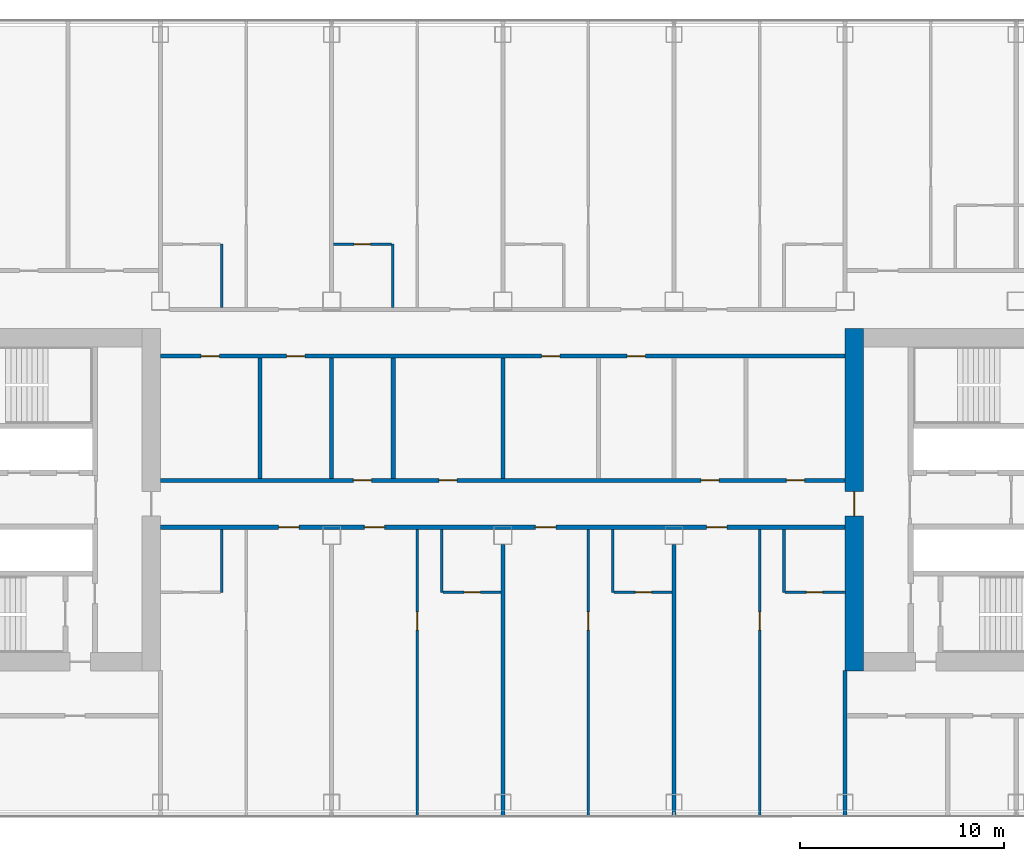
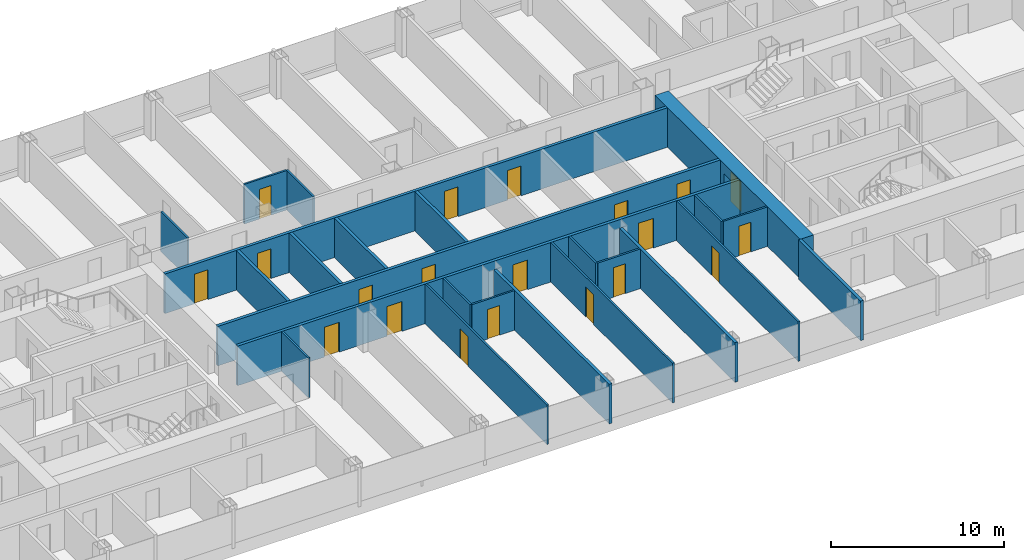
# One storey, part 17 of 29: 24 walls, 20 doors, 20 openings.
"""IFC4 building model written with IfcOpenShell, lengths in metres."""

import ifcopenshell
import ifcopenshell.guid

model = None  # the IFC model being written
_history = None  # IfcOwnerHistory: only IFC2X3 demands one
_inside = {}  # id of a spatial element -> (the spatial element, [elements in it])
_under = {}  # id of a project, library or spatial element -> (it, [spatial elements below it])
_declared = {}  # id of a project -> (the project, [libraries it declares])
_typed = {}  # id of a type object -> (the type object, [elements of that type])
_made_of = {}  # id of a material, layer set ... -> (it, [elements and type objects made of it])


def new_model(schema):
    """Start an empty IFC model of exactly this schema.

    Asked for "IFC4X3", IfcOpenShell would pick the latest addendum, in which some entities
    have other attributes; the version numbers below select the first issue.
    IFC2X3 requires an IfcOwnerHistory on every rooted entity: one is made here for all.
    """
    global model, _history
    if schema == "IFC4X3":
        model = ifcopenshell.file(schema_version=(4, 3, 0, 0))
    else:
        model = ifcopenshell.file(schema=schema)
    _inside.clear()
    _under.clear()
    _declared.clear()
    _typed.clear()
    _made_of.clear()
    _history = None
    if model.schema == "IFC2X3":
        org = make("IfcOrganization", Name="unknown")
        user = make(
            "IfcPersonAndOrganization",
            ThePerson=make("IfcPerson", FamilyName="unknown"),
            TheOrganization=org,
        )
        app = make(
            "IfcApplication",
            ApplicationDeveloper=org,
            Version="unknown",
            ApplicationFullName="unknown",
            ApplicationIdentifier="unknown",
        )
        _history = make(
            "IfcOwnerHistory",
            OwningUser=user,
            OwningApplication=app,
            ChangeAction="ADDED",
            CreationDate=0,
        )
    return model


def make(cls, **values):
    """One entity of the class cls with the attributes given. An attribute that is None is left unset."""
    return model.create_entity(
        cls, **{name: value for name, value in values.items() if value is not None}
    )


def rooted(cls, **values):
    """An entity with a GlobalId (a new one), such as an element, a storey or a relation."""
    return make(cls, GlobalId=ifcopenshell.guid.new(), OwnerHistory=_history, **values)


def si_unit(unit_type, name, prefix=None):
    """IfcSIUnit, for example si_unit("LENGTHUNIT", "METRE", prefix="MILLI")."""
    return make("IfcSIUnit", UnitType=unit_type, Prefix=prefix, Name=name)


def assignment(units):
    """IfcUnitAssignment: the units of a project."""
    return None if units is None else make("IfcUnitAssignment", Units=units)


def point(xyz):
    """IfcCartesianPoint."""
    return None if xyz is None else make("IfcCartesianPoint", Coordinates=xyz)


def direction(xyz):
    """IfcDirection."""
    return None if xyz is None else make("IfcDirection", DirectionRatios=xyz)


def frame(location, z_axis=None, x_axis=None):
    """IfcAxis2Placement3D, a coordinate frame: its origin and axes. An axis left out is left unset."""
    return make(
        "IfcAxis2Placement3D",
        Location=point(location),
        Axis=direction(z_axis),
        RefDirection=direction(x_axis),
    )


def frame_2d(location, x_axis=None):
    """IfcAxis2Placement2D, a coordinate frame in the plane: its origin and x axis."""
    return make(
        "IfcAxis2Placement2D", Location=point(location), RefDirection=direction(x_axis)
    )


def origin():
    """The frame at (0, 0, 0) with its axes left unset."""
    return frame((0.0, 0.0, 0.0))


def place(relative_to, where):
    """IfcLocalPlacement: puts the frame where relative to a parent placement (None: the world)."""
    return make(
        "IfcLocalPlacement", PlacementRelTo=relative_to, RelativePlacement=where
    )


def context(
    kind, dimensions, precision=None, world=None, true_north=None, identifier=None
):
    """IfcGeometricRepresentationContext, for example the 3D "Model" context."""
    return make(
        "IfcGeometricRepresentationContext",
        ContextIdentifier=identifier,
        ContextType=kind,
        CoordinateSpaceDimension=dimensions,
        Precision=precision,
        WorldCoordinateSystem=world,
        TrueNorth=true_north,
    )


def subcontext(parent, identifier, kind, view, scale=None):
    """IfcGeometricRepresentationSubContext, for example "Body" below "Model"."""
    return make(
        "IfcGeometricRepresentationSubContext",
        ContextIdentifier=identifier,
        ContextType=kind,
        ParentContext=parent,
        TargetScale=scale,
        TargetView=view,
    )


def project(units=None, contexts=None):
    """IfcProject with its units and contexts."""
    return rooted(
        "IfcProject",
        Name="project",
        RepresentationContexts=contexts,
        UnitsInContext=assignment(units),
    )


def spatial(cls, under=None, at=None, **own):
    """A site, building, storey or space (cls), placed at a placement, below another one or the project."""
    s = rooted(cls, ObjectPlacement=at, **own)
    if under is not None:
        _under.setdefault(under.id(), (under, []))[1].append(s)
    return s


def profile(cls, at=None, kind="AREA", **sizes):
    """A parametric profile (cls). Its sizes go by their IFC names, for example OverallWidth=200.0."""
    return make(cls, ProfileType=kind, Position=at, **sizes)


def rectangle(**sizes):
    """IfcRectangleProfileDef."""
    return profile("IfcRectangleProfileDef", **sizes)


def extrude(swept, where, along, depth):
    """IfcExtrudedAreaSolid: the profile swept, set in the frame where, extruded along a direction by depth."""
    return make(
        "IfcExtrudedAreaSolid",
        SweptArea=swept,
        Position=where,
        ExtrudedDirection=direction(along),
        Depth=depth,
    )


def shape(context_of_items, identifier, shape_type, items):
    """IfcShapeRepresentation: the items that make up one representation, for example the "Body"."""
    return make(
        "IfcShapeRepresentation",
        ContextOfItems=context_of_items,
        RepresentationIdentifier=identifier,
        RepresentationType=shape_type,
        Items=items,
    )


def material(Name=None, Category=None):
    """IfcMaterial."""
    return make("IfcMaterial", Name=Name, Category=Category)


def layer(
    of_material, thickness, ventilated=None, Name=None, Category=None, Priority=None
):
    """IfcMaterialLayer: one layer of a wall or slab, of a material (None: an air gap)."""
    return make(
        "IfcMaterialLayer",
        Material=of_material,
        LayerThickness=thickness,
        IsVentilated=ventilated,
        Name=Name,
        Category=Category,
        Priority=Priority,
    )


def layer_set(layers, Name=None):
    """IfcMaterialLayerSet."""
    return make("IfcMaterialLayerSet", MaterialLayers=layers, LayerSetName=Name)


def made_of(thing, what):
    """Note that an element or type object is made of a material, layer set ...; save() writes the relation."""
    if what is not None:
        _made_of.setdefault(what.id(), (what, []))[1].append(thing)
    return thing


def type_object(cls, material=None, **own):
    """A type object (cls), such as IfcWallType, which elements share."""
    return made_of(rooted(cls, **own), material)


def element(
    cls,
    number,
    at=None,
    inside=None,
    cuts=None,
    type_object=None,
    material=None,
    context=None,
    identifier="Body",
    shape_type=None,
    held_by="IfcProductDefinitionShape",
    body=None,
    shapes=None,
    **own,
):
    """One element of the class cls, such as IfcWall. Its Tag is "e" and its number.

    at: its placement. inside: the storey or other place that contains it. cuts: it is an
    opening in that element (IfcRelVoidsElement). A single representation is given by context,
    identifier, shape_type and body (its items); several are given by shapes. held_by: the class
    of the entity that holds the representations. save() writes the other relations.
    """
    e = rooted(cls, Tag="e%d" % number, ObjectPlacement=at, **own)
    if body is not None:
        shapes = [shape(context, identifier, shape_type, body)]
    if shapes is not None:
        e.Representation = make(held_by, Representations=shapes)
    if inside is not None:
        _inside.setdefault(inside.id(), (inside, []))[1].append(e)
    if cuts is not None:
        rooted(
            "IfcRelVoidsElement", RelatingBuildingElement=cuts, RelatedOpeningElement=e
        )
    if type_object is not None:
        _typed.setdefault(type_object.id(), (type_object, []))[1].append(e)
    return made_of(e, material)


def fill(opening, filler):
    """IfcRelFillsElement: the door or window that sits in an opening."""
    return rooted(
        "IfcRelFillsElement",
        RelatingOpeningElement=opening,
        RelatedBuildingElement=filler,
    )


def aggregate(whole, parts):
    """IfcRelAggregates: a whole, such as a stair, and the parts it consists of."""
    return rooted("IfcRelAggregates", RelatingObject=whole, RelatedObjects=parts)


def save(model, path):
    """Write the relations noted so far, then the file.

    IfcRelAggregates (storeys below a building ...), IfcRelContainedInSpatialStructure (elements
    in a storey), IfcRelDefinesByType, IfcRelAssociatesMaterial and IfcRelDeclares: one each for
    every whole, place, type object, material and project.
    """
    for whole, parts in _under.values():
        aggregate(whole, parts)
    for where, things in _inside.values():
        rooted(
            "IfcRelContainedInSpatialStructure",
            RelatedElements=things,
            RelatingStructure=where,
        )
    for kind, things in _typed.values():
        rooted("IfcRelDefinesByType", RelatedObjects=things, RelatingType=kind)
    for what, things in _made_of.values():
        rooted("IfcRelAssociatesMaterial", RelatedObjects=things, RelatingMaterial=what)
    for by, libraries in _declared.values():
        rooted("IfcRelDeclares", RelatingContext=by, RelatedDefinitions=libraries)
    model.write(path)


model = new_model("IFC4")

# Units and contexts
model_context = context("Model", 3, precision=1e-05, world=origin(), true_north=direction((0.0, 1.0)))
body_context = subcontext(model_context, "Body", "Model", "MODEL_VIEW")
ifc_project = project(units=[si_unit("LENGTHUNIT", "METRE"), si_unit("AREAUNIT", "SQUARE_METRE"), si_unit("VOLUMEUNIT", "CUBIC_METRE"), si_unit("PLANEANGLEUNIT", "RADIAN"), si_unit("MASSUNIT", "GRAM", prefix="KILO")], contexts=[model_context])

# Site, building, storey
site_placement = place(None, origin())
site = spatial("IfcSite", under=ifc_project, at=site_placement, CompositionType="ELEMENT")
building_placement = place(site_placement, origin())
building = spatial("IfcBuilding", under=site, at=building_placement, Name="Hakoniwa Tower and Hamabe Station Hall", CompositionType="ELEMENT")
storey_placement = place(building_placement, frame((0.0, 0.0, 104.199951171875)))
storey = spatial("IfcBuildingStorey", under=building, at=storey_placement, Name="L29", CompositionType="ELEMENT", Elevation=104.199951171875)

# Wall, opening, door
ifc_material_1 = material(Name="Gypsum board partition", Category="gypsum")
ifc_layer_1 = layer(ifc_material_1, 0.125)
ifc_layer_set_1 = layer_set([ifc_layer_1], Name="Bathroom Partition 125")
wall_type_1 = type_object("IfcWallType", Name="Bathroom Partition 125", PredefinedType="PARTITIONING", material=ifc_layer_set_1)
wall_1_placement = place(storey_placement, frame((-2.9375, -4.550048828125, 0.0), z_axis=(0.0, 0.0, 1.0), x_axis=(1.0, 0.0, 0.0)))
wall_1 = element("IfcWall", 1, at=wall_1_placement, inside=storey, type_object=wall_type_1, Name="GW-L29-008", PredefinedType="PARTITIONING", context=body_context, shape_type="SweptSolid", body=[
    extrude(rectangle(XDim=2.83740234375, YDim=0.125, at=frame_2d((1.418701171875, 0.0))), origin(), (0.0, 0.0, 1.0), 2.800048828125),
])
opening_1_placement = place(wall_1_placement, frame((1.03759765625, 0.0, 0.0)))
opening_1 = element("IfcOpeningElement", 2, at=opening_1_placement, cuts=wall_1, Name="Opening GD-G2E1-17", PredefinedType="OPENING", context=body_context, shape_type="SweptSolid", body=[
    extrude(rectangle(XDim=0.800048828125, YDim=2.10009765625, at=frame_2d((0.39990234375, 1.050048828125))), frame((0.0, 0.072509765625, 0.0), z_axis=(0.0, -1.0, 0.0), x_axis=(1.0, 0.0, 0.0)), (0.0, 0.0, 1.0), 0.14501953125),
])
ifc_material_2 = material(Name="Timber door leaf", Category="wood")
door_type_1 = type_object("IfcDoorType", Name="Bathroom Door 800", OperationType="SINGLE_SWING_LEFT", PredefinedType="DOOR", material=ifc_material_2)
door_1_placement = place(opening_1_placement, origin())
door_1 = element("IfcDoor", 3, at=door_1_placement, inside=storey, type_object=door_type_1, Name="Door GD-G2E1-17", OperationType="SINGLE_SWING_LEFT", OverallHeight=2.10009765625, OverallWidth=0.800048828125, PredefinedType="DOOR", context=body_context, shape_type="SweptSolid", body=[
    extrude(rectangle(XDim=0.800048828125, YDim=2.10009765625, at=frame_2d((0.39990234375, 1.050048828125))), frame((0.0, 0.02490234375, 0.0), z_axis=(0.0, -1.0, 0.0), x_axis=(1.0, 0.0, 0.0)), (0.0, 0.0, 1.0), 0.050048828125),
])
fill(opening_1, door_1)

wall_2_placement = place(storey_placement, frame((5.46240234375, -4.550048828125, 0.0), z_axis=(0.0, 0.0, 1.0), x_axis=(1.0, 0.0, 0.0)))
wall_2 = element("IfcWall", 4, at=wall_2_placement, inside=storey, type_object=wall_type_1, Name="GW-L29-009", PredefinedType="PARTITIONING", context=body_context, shape_type="SweptSolid", body=[
    extrude(rectangle(XDim=2.837646484375, YDim=0.125, at=frame_2d((1.4189453125, 0.0))), origin(), (0.0, 0.0, 1.0), 2.800048828125),
])
opening_2_placement = place(wall_2_placement, frame((1.03759765625, 0.0, 0.0)))
opening_2 = element("IfcOpeningElement", 5, at=opening_2_placement, cuts=wall_2, Name="Opening GD-G2E1-18", PredefinedType="OPENING", context=body_context, shape_type="SweptSolid", body=[
    extrude(rectangle(XDim=0.800048828125, YDim=2.10009765625, at=frame_2d((0.39990234375, 1.050048828125))), frame((0.0, 0.072509765625, 0.0), z_axis=(0.0, -1.0, 0.0), x_axis=(1.0, 0.0, 0.0)), (0.0, 0.0, 1.0), 0.14501953125),
])
door_2_placement = place(opening_2_placement, origin())
door_2 = element("IfcDoor", 6, at=door_2_placement, inside=storey, type_object=door_type_1, Name="Door GD-G2E1-18", OperationType="SINGLE_SWING_RIGHT", OverallHeight=2.10009765625, OverallWidth=0.800048828125, PredefinedType="DOOR", context=body_context, shape_type="SweptSolid", body=[
    extrude(rectangle(XDim=0.800048828125, YDim=2.10009765625, at=frame_2d((0.39990234375, 1.050048828125))), frame((0.0, 0.02490234375, 0.0), z_axis=(0.0, -1.0, 0.0), x_axis=(1.0, 0.0, 0.0)), (0.0, 0.0, 1.0), 0.050048828125),
])
fill(opening_2, door_2)

wall_3_placement = place(storey_placement, frame((13.862548828125, -4.550048828125, 0.0), z_axis=(0.0, 0.0, 1.0), x_axis=(1.0, 0.0, 0.0)))
wall_3 = element("IfcWall", 7, at=wall_3_placement, inside=storey, type_object=wall_type_1, Name="GW-L29-010", PredefinedType="PARTITIONING", context=body_context, shape_type="SweptSolid", body=[
    extrude(rectangle(XDim=2.947509765625, YDim=0.125, at=frame_2d((1.4736328125, 0.0))), origin(), (0.0, 0.0, 1.0), 2.800048828125),
])
opening_3_placement = place(wall_3_placement, frame((1.03759765625, 0.0, 0.0)))
opening_3 = element("IfcOpeningElement", 8, at=opening_3_placement, cuts=wall_3, Name="Opening GD-G2E1-19", PredefinedType="OPENING", context=body_context, shape_type="SweptSolid", body=[
    extrude(rectangle(XDim=0.800048828125, YDim=2.10009765625, at=frame_2d((0.39990234375, 1.050048828125))), frame((0.0, 0.072509765625, 0.0), z_axis=(0.0, -1.0, 0.0), x_axis=(1.0, 0.0, 0.0)), (0.0, 0.0, 1.0), 0.14501953125),
])
door_3_placement = place(opening_3_placement, origin())
door_3 = element("IfcDoor", 9, at=door_3_placement, inside=storey, type_object=door_type_1, Name="Door GD-G2E1-19", OperationType="SINGLE_SWING_RIGHT", OverallHeight=2.10009765625, OverallWidth=0.800048828125, PredefinedType="DOOR", context=body_context, shape_type="SweptSolid", body=[
    extrude(rectangle(XDim=0.800048828125, YDim=2.10009765625, at=frame_2d((0.39990234375, 1.050048828125))), frame((0.0, 0.02490234375, 0.0), z_axis=(0.0, -1.0, 0.0), x_axis=(1.0, 0.0, 0.0)), (0.0, 0.0, 1.0), 0.050048828125),
])
fill(opening_3, door_3)

wall_4_placement = place(storey_placement, frame((-8.300048828125, 12.550048828125, 0.0), z_axis=(0.0, 0.0, 1.0), x_axis=(1.0, 0.0, 0.0)))
wall_4 = element("IfcWall", 10, at=wall_4_placement, inside=storey, type_object=wall_type_1, Name="GW-L29-024", PredefinedType="PARTITIONING", context=body_context, shape_type="SweptSolid", body=[
    extrude(rectangle(XDim=2.837646484375, YDim=0.125, at=frame_2d((1.4189453125, 0.0))), origin(), (0.0, 0.0, 1.0), 2.800048828125),
])
opening_4_placement = place(wall_4_placement, frame((1.0, 0.0, 0.0)))
opening_4 = element("IfcOpeningElement", 11, at=opening_4_placement, cuts=wall_4, Name="Opening GD-G2E1-51", PredefinedType="OPENING", context=body_context, shape_type="SweptSolid", body=[
    extrude(rectangle(XDim=0.800048828125, YDim=2.10009765625, at=frame_2d((0.39990234375, 1.050048828125))), frame((0.0, 0.072509765625, 0.0), z_axis=(0.0, -1.0, 0.0), x_axis=(1.0, 0.0, 0.0)), (0.0, 0.0, 1.0), 0.14501953125),
])
door_4_placement = place(opening_4_placement, origin())
door_4 = element("IfcDoor", 12, at=door_4_placement, inside=storey, type_object=door_type_1, Name="Door GD-G2E1-51", OperationType="SINGLE_SWING_RIGHT", OverallHeight=2.10009765625, OverallWidth=0.800048828125, PredefinedType="DOOR", context=body_context, shape_type="SweptSolid", body=[
    extrude(rectangle(XDim=0.800048828125, YDim=2.10009765625, at=frame_2d((0.39990234375, 1.050048828125))), frame((0.0, 0.02490234375, 0.0), z_axis=(0.0, -1.0, 0.0), x_axis=(1.0, 0.0, 0.0)), (0.0, 0.0, 1.0), 0.050048828125),
])
fill(opening_4, door_4)

# Walls
for number, where, z_axis, x_axis, name in (
    (13, (-13.800048828125, -4.550048828125, 0.0), (0.0, 0.0, 1.0), (0.0, 1.0, 0.0), "GW-L29-045"),
    (14, (-13.800048828125, 9.449951171875, 0.0), (0.0, 0.0, 1.0), (0.0, 1.0, 0.0), "GW-L29-046"),
    (15, (-5.39990234375, 9.449951171875, 0.0), (0.0, 0.0, 1.0), (0.0, 1.0, 0.0), "GW-L29-053"),
    (16, (-3.0, -4.550048828125, 0.0), (0.0, 0.0, 1.0), (0.0, 1.0, 0.0), "GW-L29-057"),
    (17, (5.39990234375, -4.550048828125, 0.0), (0.0, 0.0, 1.0), (0.0, 1.0, 0.0), "GW-L29-065"),
    (18, (13.800048828125, -4.550048828125, 0.0), (0.0, 0.0, 1.0), (0.0, 1.0, 0.0), "GW-L29-072"),
):
    element("IfcWall", number, at=place(storey_placement, frame(where, z_axis=z_axis, x_axis=x_axis)), inside=storey, type_object=wall_type_1, Name=name, PredefinedType="PARTITIONING", context=body_context, shape_type="SweptSolid", body=[
        extrude(rectangle(XDim=3.10009765625, YDim=0.125, at=frame_2d((1.550048828125, 0.0))), origin(), (0.0, 0.0, 1.0), 2.800048828125),
    ])

# Wall, opening, door
ifc_material_3 = material(Name="Concrete C72", Category="concrete")
ifc_layer_2 = layer(ifc_material_3, 0.89990234375)
ifc_layer_set_2 = layer_set([ifc_layer_2], Name="CORE WALL 900 C72")
wall_type_2 = type_object("IfcWallType", Name="CORE WALL 900 C72", PredefinedType="SHEAR", material=ifc_layer_set_2)
wall_5_placement = place(storey_placement, frame((17.25, -8.39990234375, 0.0), z_axis=(0.0, 0.0, 1.0), x_axis=(0.0, 1.0, 0.0)))
wall_5 = element("IfcWall", 19, at=wall_5_placement, inside=storey, type_object=wall_type_2, Name="Core wall INNER east", PredefinedType="SHEAR", context=body_context, shape_type="SweptSolid", body=[
    extrude(rectangle(XDim=16.7998046875, YDim=0.89990234375, at=frame_2d((8.39990234375, 0.0))), origin(), (0.0, 0.0, 1.0), 2.800048828125),
])
opening_5_placement = place(wall_5_placement, frame((7.60009765625, 0.0, 0.0)))
opening_5 = element("IfcOpeningElement", 20, at=opening_5_placement, cuts=wall_5, Name="Opening CD-E-IN1-12", PredefinedType="OPENING", context=body_context, shape_type="SweptSolid", body=[
    extrude(rectangle(XDim=1.199951171875, YDim=2.10009765625, at=frame_2d((0.60009765625, 1.050048828125))), frame((0.0, 0.4599609375, 0.0), z_axis=(0.0, -1.0, 0.0), x_axis=(1.0, 0.0, 0.0)), (0.0, 0.0, 1.0), 0.919921875),
])
ifc_material_4 = material(Name="Steel fire door", Category="steel")
door_type_2 = type_object("IfcDoorType", Name="CORE DOOR 1200 FD60", OperationType="DOUBLE_DOOR_SINGLE_SWING", PredefinedType="DOOR", material=ifc_material_4)
door_5_placement = place(opening_5_placement, origin())
door_5 = element("IfcDoor", 21, at=door_5_placement, inside=storey, type_object=door_type_2, Name="Lift lobby door", OperationType="DOUBLE_DOOR_SINGLE_SWING", OverallHeight=2.10009765625, OverallWidth=1.199951171875, PredefinedType="DOOR", context=body_context, shape_type="SweptSolid", body=[
    extrude(rectangle(XDim=1.199951171875, YDim=2.10009765625, at=frame_2d((0.60009765625, 1.050048828125))), frame((0.0, 0.02490234375, 0.0), z_axis=(0.0, -1.0, 0.0), x_axis=(1.0, 0.0, 0.0)), (0.0, 0.0, 1.0), 0.050048828125),
])
fill(opening_5, door_5)

# Wall, openings, doors
ifc_material_5 = material(Name="Fire-rated gypsum board partition", Category="gypsum")
ifc_layer_3 = layer(ifc_material_5, 0.199951171875)
ifc_layer_set_3 = layer_set([ifc_layer_3], Name="Corridor Wall 200")
wall_type_3 = type_object("IfcWallType", Name="Corridor Wall 200", PredefinedType="PARTITIONING", material=ifc_layer_set_3)
wall_6_placement = place(storey_placement, frame((-16.800048828125, -1.35009765625, 0.0), z_axis=(0.0, 0.0, 1.0), x_axis=(1.0, 0.0, 0.0)))
wall_6 = element("IfcWall", 22, at=wall_6_placement, inside=storey, type_object=wall_type_3, Name="GW-L29-011", PredefinedType="PARTITIONING", context=body_context, shape_type="SweptSolid", body=[
    extrude(rectangle(XDim=33.60009765625, YDim=0.199951171875, at=frame_2d((16.800048828125, 0.0))), origin(), (0.0, 0.0, 1.0), 2.800048828125),
])
opening_6_placement = place(wall_6_placement, frame((5.800048828125, 0.0, 0.0)))
opening_6 = element("IfcOpeningElement", 23, at=opening_6_placement, cuts=wall_6, Name="Opening GD-G2E1-20", PredefinedType="OPENING", context=body_context, shape_type="SweptSolid", body=[
    extrude(rectangle(XDim=1.0, YDim=2.10009765625, at=frame_2d((0.5, 1.050048828125))), frame((0.0, 0.10986328125, 0.0), z_axis=(0.0, -1.0, 0.0), x_axis=(1.0, 0.0, 0.0)), (0.0, 0.0, 1.0), 0.219970703125),
])
opening_7_placement = place(wall_6_placement, frame((10.0, 0.0, 0.0)))
opening_7 = element("IfcOpeningElement", 24, at=opening_7_placement, cuts=wall_6, Name="Opening GD-G2E1-21", PredefinedType="OPENING", context=body_context, shape_type="SweptSolid", body=[
    extrude(rectangle(XDim=1.0, YDim=2.10009765625, at=frame_2d((0.5, 1.050048828125))), frame((0.0, 0.10986328125, 0.0), z_axis=(0.0, -1.0, 0.0), x_axis=(1.0, 0.0, 0.0)), (0.0, 0.0, 1.0), 0.219970703125),
])
opening_8_placement = place(wall_6_placement, frame((18.39990234375, 0.0, 0.0)))
opening_8 = element("IfcOpeningElement", 25, at=opening_8_placement, cuts=wall_6, Name="Opening GD-G2E1-22", PredefinedType="OPENING", context=body_context, shape_type="SweptSolid", body=[
    extrude(rectangle(XDim=1.0, YDim=2.10009765625, at=frame_2d((0.5, 1.050048828125))), frame((0.0, 0.10986328125, 0.0), z_axis=(0.0, -1.0, 0.0), x_axis=(1.0, 0.0, 0.0)), (0.0, 0.0, 1.0), 0.219970703125),
])
opening_9_placement = place(wall_6_placement, frame((26.800048828125, 0.0, 0.0)))
opening_9 = element("IfcOpeningElement", 26, at=opening_9_placement, cuts=wall_6, Name="Opening GD-G2E1-23", PredefinedType="OPENING", context=body_context, shape_type="SweptSolid", body=[
    extrude(rectangle(XDim=1.0, YDim=2.10009765625, at=frame_2d((0.5, 1.050048828125))), frame((0.0, 0.10986328125, 0.0), z_axis=(0.0, -1.0, 0.0), x_axis=(1.0, 0.0, 0.0)), (0.0, 0.0, 1.0), 0.219970703125),
])
ifc_material_6 = material(Name="Timber door leaf", Category="wood")
door_type_3 = type_object("IfcDoorType", Name="Guest Entrance Door 1000", OperationType="SINGLE_SWING_LEFT", PredefinedType="DOOR", material=ifc_material_6)
door_6_placement = place(opening_6_placement, origin())
door_6 = element("IfcDoor", 27, at=door_6_placement, inside=storey, type_object=door_type_3, Name="Door GD-G2E1-20", OperationType="SINGLE_SWING_LEFT", OverallHeight=2.10009765625, OverallWidth=1.0, PredefinedType="DOOR", context=body_context, shape_type="SweptSolid", body=[
    extrude(rectangle(XDim=1.0, YDim=2.10009765625, at=frame_2d((0.5, 1.050048828125))), frame((0.0, 0.02490234375, 0.0), z_axis=(0.0, -1.0, 0.0), x_axis=(1.0, 0.0, 0.0)), (0.0, 0.0, 1.0), 0.050048828125),
])
fill(opening_6, door_6)
door_7_placement = place(opening_7_placement, origin())
door_7 = element("IfcDoor", 28, at=door_7_placement, inside=storey, type_object=door_type_3, Name="Door GD-G2E1-21", OperationType="SINGLE_SWING_RIGHT", OverallHeight=2.10009765625, OverallWidth=1.0, PredefinedType="DOOR", context=body_context, shape_type="SweptSolid", body=[
    extrude(rectangle(XDim=1.0, YDim=2.10009765625, at=frame_2d((0.5, 1.050048828125))), frame((0.0, 0.02490234375, 0.0), z_axis=(0.0, -1.0, 0.0), x_axis=(1.0, 0.0, 0.0)), (0.0, 0.0, 1.0), 0.050048828125),
])
fill(opening_7, door_7)
door_8_placement = place(opening_8_placement, origin())
door_8 = element("IfcDoor", 29, at=door_8_placement, inside=storey, type_object=door_type_3, Name="Door GD-G2E1-22", OperationType="SINGLE_SWING_RIGHT", OverallHeight=2.10009765625, OverallWidth=1.0, PredefinedType="DOOR", context=body_context, shape_type="SweptSolid", body=[
    extrude(rectangle(XDim=1.0, YDim=2.10009765625, at=frame_2d((0.5, 1.050048828125))), frame((0.0, 0.02490234375, 0.0), z_axis=(0.0, -1.0, 0.0), x_axis=(1.0, 0.0, 0.0)), (0.0, 0.0, 1.0), 0.050048828125),
])
fill(opening_8, door_8)
door_9_placement = place(opening_9_placement, origin())
door_9 = element("IfcDoor", 30, at=door_9_placement, inside=storey, type_object=door_type_3, Name="Door GD-G2E1-23", OperationType="SINGLE_SWING_RIGHT", OverallHeight=2.10009765625, OverallWidth=1.0, PredefinedType="DOOR", context=body_context, shape_type="SweptSolid", body=[
    extrude(rectangle(XDim=1.0, YDim=2.10009765625, at=frame_2d((0.5, 1.050048828125))), frame((0.0, 0.02490234375, 0.0), z_axis=(0.0, -1.0, 0.0), x_axis=(1.0, 0.0, 0.0)), (0.0, 0.0, 1.0), 0.050048828125),
])
fill(opening_9, door_9)

wall_7_placement = place(storey_placement, frame((-16.800048828125, 0.949951171875, 0.0), z_axis=(0.0, 0.0, 1.0), x_axis=(1.0, 0.0, 0.0)))
wall_7 = element("IfcWall", 31, at=wall_7_placement, inside=storey, type_object=wall_type_3, Name="GW-L29-014", PredefinedType="PARTITIONING", context=body_context, shape_type="SweptSolid", body=[
    extrude(rectangle(XDim=33.60009765625, YDim=0.199951171875, at=frame_2d((16.800048828125, 0.0))), origin(), (0.0, 0.0, 1.0), 2.800048828125),
])
opening_10_placement = place(wall_7_placement, frame((9.4599609375, 0.0, 0.0)))
opening_10 = element("IfcOpeningElement", 32, at=opening_10_placement, cuts=wall_7, Name="Opening GD-G2E1-24", PredefinedType="OPENING", context=body_context, shape_type="SweptSolid", body=[
    extrude(rectangle(XDim=0.89990234375, YDim=2.10009765625, at=frame_2d((0.449951171875, 1.050048828125))), frame((0.0, 0.10986328125, 0.0), z_axis=(0.0, -1.0, 0.0), x_axis=(1.0, 0.0, 0.0)), (0.0, 0.0, 1.0), 0.219970703125),
])
opening_11_placement = place(wall_7_placement, frame((13.659912109375, 0.0, 0.0)))
opening_11 = element("IfcOpeningElement", 33, at=opening_11_placement, cuts=wall_7, Name="Opening GD-G2E1-25", PredefinedType="OPENING", context=body_context, shape_type="SweptSolid", body=[
    extrude(rectangle(XDim=0.89990234375, YDim=2.10009765625, at=frame_2d((0.449951171875, 1.050048828125))), frame((0.0, 0.10986328125, 0.0), z_axis=(0.0, -1.0, 0.0), x_axis=(1.0, 0.0, 0.0)), (0.0, 0.0, 1.0), 0.219970703125),
])
opening_12_placement = place(wall_7_placement, frame((26.514892578125, 0.0, 0.0)))
opening_12 = element("IfcOpeningElement", 34, at=opening_12_placement, cuts=wall_7, Name="Opening GD-G2E1-26", PredefinedType="OPENING", context=body_context, shape_type="SweptSolid", body=[
    extrude(rectangle(XDim=0.89990234375, YDim=2.10009765625, at=frame_2d((0.449951171875, 1.050048828125))), frame((0.0, 0.10986328125, 0.0), z_axis=(0.0, -1.0, 0.0), x_axis=(1.0, 0.0, 0.0)), (0.0, 0.0, 1.0), 0.219970703125),
])
opening_13_placement = place(wall_7_placement, frame((30.715087890625, 0.0, 0.0)))
opening_13 = element("IfcOpeningElement", 35, at=opening_13_placement, cuts=wall_7, Name="Opening GD-G2E1-27", PredefinedType="OPENING", context=body_context, shape_type="SweptSolid", body=[
    extrude(rectangle(XDim=0.89990234375, YDim=2.10009765625, at=frame_2d((0.449951171875, 1.050048828125))), frame((0.0, 0.10986328125, 0.0), z_axis=(0.0, -1.0, 0.0), x_axis=(1.0, 0.0, 0.0)), (0.0, 0.0, 1.0), 0.219970703125),
])
ifc_material_7 = material(Name="Timber door leaf", Category="wood")
door_type_4 = type_object("IfcDoorType", Name="Service Door 900", OperationType="SINGLE_SWING_LEFT", PredefinedType="DOOR", material=ifc_material_7)
door_10_placement = place(opening_10_placement, origin())
door_10 = element("IfcDoor", 36, at=door_10_placement, inside=storey, type_object=door_type_4, Name="Door GD-G2E1-24", OperationType="SINGLE_SWING_LEFT", OverallHeight=2.10009765625, OverallWidth=0.89990234375, PredefinedType="DOOR", context=body_context, shape_type="SweptSolid", body=[
    extrude(rectangle(XDim=0.89990234375, YDim=2.10009765625, at=frame_2d((0.449951171875, 1.050048828125))), frame((0.0, 0.02490234375, 0.0), z_axis=(0.0, -1.0, 0.0), x_axis=(1.0, 0.0, 0.0)), (0.0, 0.0, 1.0), 0.050048828125),
])
fill(opening_10, door_10)
door_11_placement = place(opening_11_placement, origin())
door_11 = element("IfcDoor", 37, at=door_11_placement, inside=storey, type_object=door_type_4, Name="Door GD-G2E1-25", OperationType="SINGLE_SWING_RIGHT", OverallHeight=2.10009765625, OverallWidth=0.89990234375, PredefinedType="DOOR", context=body_context, shape_type="SweptSolid", body=[
    extrude(rectangle(XDim=0.89990234375, YDim=2.10009765625, at=frame_2d((0.449951171875, 1.050048828125))), frame((0.0, 0.02490234375, 0.0), z_axis=(0.0, -1.0, 0.0), x_axis=(1.0, 0.0, 0.0)), (0.0, 0.0, 1.0), 0.050048828125),
])
fill(opening_11, door_11)
door_12_placement = place(opening_12_placement, origin())
door_12 = element("IfcDoor", 38, at=door_12_placement, inside=storey, type_object=door_type_4, Name="Door GD-G2E1-26", OperationType="SINGLE_SWING_LEFT", OverallHeight=2.10009765625, OverallWidth=0.89990234375, PredefinedType="DOOR", context=body_context, shape_type="SweptSolid", body=[
    extrude(rectangle(XDim=0.89990234375, YDim=2.10009765625, at=frame_2d((0.449951171875, 1.050048828125))), frame((0.0, 0.02490234375, 0.0), z_axis=(0.0, -1.0, 0.0), x_axis=(1.0, 0.0, 0.0)), (0.0, 0.0, 1.0), 0.050048828125),
])
fill(opening_12, door_12)
door_13_placement = place(opening_13_placement, origin())
door_13 = element("IfcDoor", 39, at=door_13_placement, inside=storey, type_object=door_type_4, Name="Door GD-G2E1-27", OperationType="SINGLE_SWING_RIGHT", OverallHeight=2.10009765625, OverallWidth=0.89990234375, PredefinedType="DOOR", context=body_context, shape_type="SweptSolid", body=[
    extrude(rectangle(XDim=0.89990234375, YDim=2.10009765625, at=frame_2d((0.449951171875, 1.050048828125))), frame((0.0, 0.02490234375, 0.0), z_axis=(0.0, -1.0, 0.0), x_axis=(1.0, 0.0, 0.0)), (0.0, 0.0, 1.0), 0.050048828125),
])
fill(opening_13, door_13)

wall_8_placement = place(storey_placement, frame((-16.800048828125, 7.050048828125, 0.0), z_axis=(0.0, 0.0, 1.0), x_axis=(1.0, 0.0, 0.0)))
wall_8 = element("IfcWall", 40, at=wall_8_placement, inside=storey, type_object=wall_type_3, Name="GW-L29-017", PredefinedType="PARTITIONING", context=body_context, shape_type="SweptSolid", body=[
    extrude(rectangle(XDim=33.60009765625, YDim=0.199951171875, at=frame_2d((16.800048828125, 0.0))), origin(), (0.0, 0.0, 1.0), 2.800048828125),
])
opening_14_placement = place(wall_8_placement, frame((1.985107421875, 0.0, 0.0)))
opening_14 = element("IfcOpeningElement", 41, at=opening_14_placement, cuts=wall_8, Name="Opening GD-G2E1-30", PredefinedType="OPENING", context=body_context, shape_type="SweptSolid", body=[
    extrude(rectangle(XDim=0.89990234375, YDim=2.10009765625, at=frame_2d((0.449951171875, 1.050048828125))), frame((0.0, 0.10986328125, 0.0), z_axis=(0.0, -1.0, 0.0), x_axis=(1.0, 0.0, 0.0)), (0.0, 0.0, 1.0), 0.219970703125),
])
opening_15_placement = place(wall_8_placement, frame((6.18505859375, 0.0, 0.0)))
opening_15 = element("IfcOpeningElement", 42, at=opening_15_placement, cuts=wall_8, Name="Opening GD-G2E1-31", PredefinedType="OPENING", context=body_context, shape_type="SweptSolid", body=[
    extrude(rectangle(XDim=0.89990234375, YDim=2.10009765625, at=frame_2d((0.449951171875, 1.050048828125))), frame((0.0, 0.10986328125, 0.0), z_axis=(0.0, -1.0, 0.0), x_axis=(1.0, 0.0, 0.0)), (0.0, 0.0, 1.0), 0.219970703125),
])
opening_16_placement = place(wall_8_placement, frame((18.699951171875, 0.0, 0.0)))
opening_16 = element("IfcOpeningElement", 43, at=opening_16_placement, cuts=wall_8, Name="Opening GD-G2E1-32", PredefinedType="OPENING", context=body_context, shape_type="SweptSolid", body=[
    extrude(rectangle(XDim=0.89990234375, YDim=2.10009765625, at=frame_2d((0.449951171875, 1.050048828125))), frame((0.0, 0.10986328125, 0.0), z_axis=(0.0, -1.0, 0.0), x_axis=(1.0, 0.0, 0.0)), (0.0, 0.0, 1.0), 0.219970703125),
])
opening_17_placement = place(wall_8_placement, frame((22.89990234375, 0.0, 0.0)))
opening_17 = element("IfcOpeningElement", 44, at=opening_17_placement, cuts=wall_8, Name="Opening GD-G2E1-33", PredefinedType="OPENING", context=body_context, shape_type="SweptSolid", body=[
    extrude(rectangle(XDim=0.89990234375, YDim=2.10009765625, at=frame_2d((0.449951171875, 1.050048828125))), frame((0.0, 0.10986328125, 0.0), z_axis=(0.0, -1.0, 0.0), x_axis=(1.0, 0.0, 0.0)), (0.0, 0.0, 1.0), 0.219970703125),
])
door_14_placement = place(opening_14_placement, origin())
door_14 = element("IfcDoor", 45, at=door_14_placement, inside=storey, type_object=door_type_4, Name="Door GD-G2E1-30", OperationType="SINGLE_SWING_LEFT", OverallHeight=2.10009765625, OverallWidth=0.89990234375, PredefinedType="DOOR", context=body_context, shape_type="SweptSolid", body=[
    extrude(rectangle(XDim=0.89990234375, YDim=2.10009765625, at=frame_2d((0.449951171875, 1.050048828125))), frame((0.0, 0.02490234375, 0.0), z_axis=(0.0, -1.0, 0.0), x_axis=(1.0, 0.0, 0.0)), (0.0, 0.0, 1.0), 0.050048828125),
])
fill(opening_14, door_14)
door_15_placement = place(opening_15_placement, origin())
door_15 = element("IfcDoor", 46, at=door_15_placement, inside=storey, type_object=door_type_4, Name="Door GD-G2E1-31", OperationType="SINGLE_SWING_RIGHT", OverallHeight=2.10009765625, OverallWidth=0.89990234375, PredefinedType="DOOR", context=body_context, shape_type="SweptSolid", body=[
    extrude(rectangle(XDim=0.89990234375, YDim=2.10009765625, at=frame_2d((0.449951171875, 1.050048828125))), frame((0.0, 0.02490234375, 0.0), z_axis=(0.0, -1.0, 0.0), x_axis=(1.0, 0.0, 0.0)), (0.0, 0.0, 1.0), 0.050048828125),
])
fill(opening_15, door_15)
door_16_placement = place(opening_16_placement, origin())
door_16 = element("IfcDoor", 47, at=door_16_placement, inside=storey, type_object=door_type_4, Name="Door GD-G2E1-32", OperationType="SINGLE_SWING_LEFT", OverallHeight=2.10009765625, OverallWidth=0.89990234375, PredefinedType="DOOR", context=body_context, shape_type="SweptSolid", body=[
    extrude(rectangle(XDim=0.89990234375, YDim=2.10009765625, at=frame_2d((0.449951171875, 1.050048828125))), frame((0.0, 0.02490234375, 0.0), z_axis=(0.0, -1.0, 0.0), x_axis=(1.0, 0.0, 0.0)), (0.0, 0.0, 1.0), 0.050048828125),
])
fill(opening_16, door_16)
door_17_placement = place(opening_17_placement, origin())
door_17 = element("IfcDoor", 48, at=door_17_placement, inside=storey, type_object=door_type_4, Name="Door GD-G2E1-33", OperationType="SINGLE_SWING_RIGHT", OverallHeight=2.10009765625, OverallWidth=0.89990234375, PredefinedType="DOOR", context=body_context, shape_type="SweptSolid", body=[
    extrude(rectangle(XDim=0.89990234375, YDim=2.10009765625, at=frame_2d((0.449951171875, 1.050048828125))), frame((0.0, 0.02490234375, 0.0), z_axis=(0.0, -1.0, 0.0), x_axis=(1.0, 0.0, 0.0)), (0.0, 0.0, 1.0), 0.050048828125),
])
fill(opening_17, door_17)

# Walls
ifc_material_8 = material(Name="Fire-rated gypsum board partition", Category="gypsum")
ifc_layer_4 = layer(ifc_material_8, 0.199951171875)
ifc_layer_set_4 = layer_set([ifc_layer_4], Name="Party Wall 200")
wall_type_4 = type_object("IfcWallType", Name="Party Wall 200", PredefinedType="PARTITIONING", material=ifc_layer_set_4)
for number, where, z_axis, x_axis, name in (
    (49, (-11.929931640625, 1.050048828125, 0.0), (0.0, 0.0, 1.0), (0.0, 1.0, 0.0), "GW-L29-049"),
    (50, (-8.39990234375, 1.050048828125, 0.0), (0.0, 0.0, 1.0), (0.0, 1.0, 0.0), "GW-L29-051"),
    (51, (-5.3798828125, 1.050048828125, 0.0), (0.0, 0.0, 1.0), (0.0, 1.0, 0.0), "GW-L29-054"),
):
    element("IfcWall", number, at=place(storey_placement, frame(where, z_axis=z_axis, x_axis=x_axis)), inside=storey, type_object=wall_type_4, Name=name, PredefinedType="PARTITIONING", context=body_context, shape_type="SweptSolid", body=[
        extrude(rectangle(XDim=5.89990234375, YDim=0.199951171875, at=frame_2d((2.949951171875, 0.0))), origin(), (0.0, 0.0, 1.0), 2.800048828125),
    ])
wall_9_placement = place(storey_placement, frame((0.0, -15.550048828125, 0.0), z_axis=(0.0, 0.0, 1.0), x_axis=(0.0, 1.0, 0.0)))
element("IfcWall", 52, at=wall_9_placement, inside=storey, type_object=wall_type_4, Name="GW-L29-058", PredefinedType="PARTITIONING", context=body_context, shape_type="SweptSolid", body=[
    extrude(rectangle(XDim=13.360107421875, YDim=0.199951171875, at=frame_2d((6.68017578125, 0.0))), origin(), (0.0, 0.0, 1.0), 2.800048828125),
])
wall_10_placement = place(storey_placement, frame((0.0, 1.050048828125, 0.0), z_axis=(0.0, 0.0, 1.0), x_axis=(0.0, 1.0, 0.0)))
element("IfcWall", 53, at=wall_10_placement, inside=storey, type_object=wall_type_4, Name="GW-L29-059", PredefinedType="PARTITIONING", context=body_context, shape_type="SweptSolid", body=[
    extrude(rectangle(XDim=5.89990234375, YDim=0.199951171875, at=frame_2d((2.949951171875, 0.0))), origin(), (0.0, 0.0, 1.0), 2.800048828125),
])
wall_11_placement = place(storey_placement, frame((8.39990234375, -15.550048828125, 0.0), z_axis=(0.0, 0.0, 1.0), x_axis=(0.0, 1.0, 0.0)))
element("IfcWall", 54, at=wall_11_placement, inside=storey, type_object=wall_type_4, Name="GW-L29-066", PredefinedType="PARTITIONING", context=body_context, shape_type="SweptSolid", body=[
    extrude(rectangle(XDim=13.360107421875, YDim=0.199951171875, at=frame_2d((6.68017578125, 0.0))), origin(), (0.0, 0.0, 1.0), 2.800048828125),
])
wall_12_placement = place(storey_placement, frame((16.800048828125, -15.550048828125, 0.0), z_axis=(0.0, 0.0, 1.0), x_axis=(0.0, 1.0, 0.0)))
element("IfcWall", 55, at=wall_12_placement, inside=storey, type_object=wall_type_4, Name="GW-L29-074", PredefinedType="PARTITIONING", context=body_context, shape_type="SweptSolid", body=[
    extrude(rectangle(XDim=7.16015625, YDim=0.199951171875, at=frame_2d((3.580078125, 0.0))), origin(), (0.0, 0.0, 1.0), 2.800048828125),
])

# Wall, opening, door
ifc_material_9 = material(Name="Gypsum board partition", Category="gypsum")
ifc_layer_5 = layer(ifc_material_9, 0.125)
ifc_layer_set_5 = layer_set([ifc_layer_5], Name="Room Partition 125")
wall_type_5 = type_object("IfcWallType", Name="Room Partition 125", PredefinedType="PARTITIONING", material=ifc_layer_set_5)
wall_13_placement = place(storey_placement, frame((-4.199951171875, -15.550048828125, 0.0), z_axis=(0.0, 0.0, 1.0), x_axis=(0.0, 1.0, 0.0)))
wall_13 = element("IfcWall", 56, at=wall_13_placement, inside=storey, type_object=wall_type_5, Name="GW-L29-055", PredefinedType="PARTITIONING", context=body_context, shape_type="SweptSolid", body=[
    extrude(rectangle(XDim=14.10009765625, YDim=0.125, at=frame_2d((7.050048828125, 0.0))), origin(), (0.0, 0.0, 1.0), 2.800048828125),
])
opening_18_placement = place(wall_13_placement, frame((9.14990234375, 0.0, 0.0)))
opening_18 = element("IfcOpeningElement", 57, at=opening_18_placement, cuts=wall_13, Name="Opening GD-G2E1-60", PredefinedType="OPENING", context=body_context, shape_type="SweptSolid", body=[
    extrude(rectangle(XDim=0.89990234375, YDim=2.10009765625, at=frame_2d((0.449951171875, 1.050048828125))), frame((0.0, 0.072509765625, 0.0), z_axis=(0.0, -1.0, 0.0), x_axis=(1.0, 0.0, 0.0)), (0.0, 0.0, 1.0), 0.14501953125),
])
ifc_material_10 = material(Name="Timber door leaf", Category="wood")
door_type_5 = type_object("IfcDoorType", Name="Suite Interior Door 900", OperationType="SINGLE_SWING_LEFT", PredefinedType="DOOR", material=ifc_material_10)
door_18_placement = place(opening_18_placement, origin())
door_18 = element("IfcDoor", 58, at=door_18_placement, inside=storey, type_object=door_type_5, Name="Door GD-G2E1-60", OperationType="SINGLE_SWING_RIGHT", OverallHeight=2.10009765625, OverallWidth=0.89990234375, PredefinedType="DOOR", context=body_context, shape_type="SweptSolid", body=[
    extrude(rectangle(XDim=0.89990234375, YDim=2.10009765625, at=frame_2d((0.449951171875, 1.050048828125))), frame((0.0, 0.02490234375, 0.0), z_axis=(0.0, -1.0, 0.0), x_axis=(1.0, 0.0, 0.0)), (0.0, 0.0, 1.0), 0.050048828125),
])
fill(opening_18, door_18)

wall_14_placement = place(storey_placement, frame((4.199951171875, -15.550048828125, 0.0), z_axis=(0.0, 0.0, 1.0), x_axis=(0.0, 1.0, 0.0)))
wall_14 = element("IfcWall", 59, at=wall_14_placement, inside=storey, type_object=wall_type_5, Name="GW-L29-062", PredefinedType="PARTITIONING", context=body_context, shape_type="SweptSolid", body=[
    extrude(rectangle(XDim=14.10009765625, YDim=0.125, at=frame_2d((7.050048828125, 0.0))), origin(), (0.0, 0.0, 1.0), 2.800048828125),
])
opening_19_placement = place(wall_14_placement, frame((9.14990234375, 0.0, 0.0)))
opening_19 = element("IfcOpeningElement", 60, at=opening_19_placement, cuts=wall_14, Name="Opening GD-G2E1-62", PredefinedType="OPENING", context=body_context, shape_type="SweptSolid", body=[
    extrude(rectangle(XDim=0.89990234375, YDim=2.10009765625, at=frame_2d((0.449951171875, 1.050048828125))), frame((0.0, 0.072509765625, 0.0), z_axis=(0.0, -1.0, 0.0), x_axis=(1.0, 0.0, 0.0)), (0.0, 0.0, 1.0), 0.14501953125),
])
door_19_placement = place(opening_19_placement, origin())
door_19 = element("IfcDoor", 61, at=door_19_placement, inside=storey, type_object=door_type_5, Name="Door GD-G2E1-62", OperationType="SINGLE_SWING_RIGHT", OverallHeight=2.10009765625, OverallWidth=0.89990234375, PredefinedType="DOOR", context=body_context, shape_type="SweptSolid", body=[
    extrude(rectangle(XDim=0.89990234375, YDim=2.10009765625, at=frame_2d((0.449951171875, 1.050048828125))), frame((0.0, 0.02490234375, 0.0), z_axis=(0.0, -1.0, 0.0), x_axis=(1.0, 0.0, 0.0)), (0.0, 0.0, 1.0), 0.050048828125),
])
fill(opening_19, door_19)

wall_15_placement = place(storey_placement, frame((12.60009765625, -15.550048828125, 0.0), z_axis=(0.0, 0.0, 1.0), x_axis=(0.0, 1.0, 0.0)))
wall_15 = element("IfcWall", 62, at=wall_15_placement, inside=storey, type_object=wall_type_5, Name="GW-L29-070", PredefinedType="PARTITIONING", context=body_context, shape_type="SweptSolid", body=[
    extrude(rectangle(XDim=14.10009765625, YDim=0.125, at=frame_2d((7.050048828125, 0.0))), origin(), (0.0, 0.0, 1.0), 2.800048828125),
])
opening_20_placement = place(wall_15_placement, frame((9.14990234375, 0.0, 0.0)))
opening_20 = element("IfcOpeningElement", 63, at=opening_20_placement, cuts=wall_15, Name="Opening GD-G2E1-64", PredefinedType="OPENING", context=body_context, shape_type="SweptSolid", body=[
    extrude(rectangle(XDim=0.89990234375, YDim=2.10009765625, at=frame_2d((0.449951171875, 1.050048828125))), frame((0.0, 0.072509765625, 0.0), z_axis=(0.0, -1.0, 0.0), x_axis=(1.0, 0.0, 0.0)), (0.0, 0.0, 1.0), 0.14501953125),
])
door_20_placement = place(opening_20_placement, origin())
door_20 = element("IfcDoor", 64, at=door_20_placement, inside=storey, type_object=door_type_5, Name="Door GD-G2E1-64", OperationType="SINGLE_SWING_RIGHT", OverallHeight=2.10009765625, OverallWidth=0.89990234375, PredefinedType="DOOR", context=body_context, shape_type="SweptSolid", body=[
    extrude(rectangle(XDim=0.89990234375, YDim=2.10009765625, at=frame_2d((0.449951171875, 1.050048828125))), frame((0.0, 0.02490234375, 0.0), z_axis=(0.0, -1.0, 0.0), x_axis=(1.0, 0.0, 0.0)), (0.0, 0.0, 1.0), 0.050048828125),
])
fill(opening_20, door_20)

save(model, "model.ifc")
